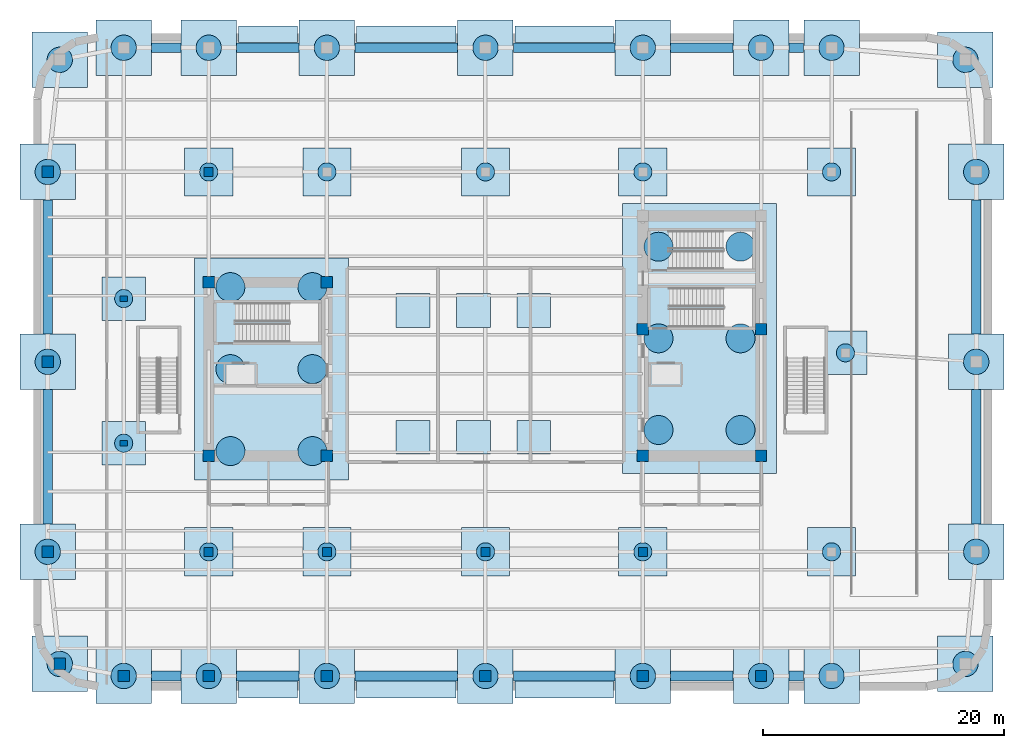
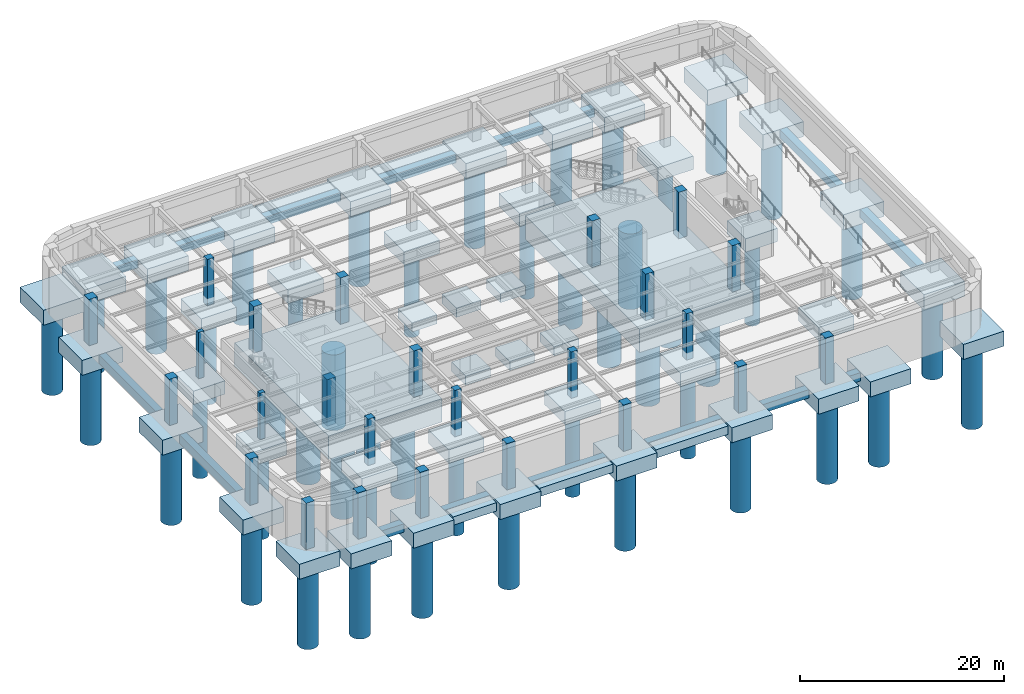
# One storey, part 1 of 14: 67 footings, 49 piles, 25 columns.
"""IFC4 building model written with IfcOpenShell, lengths in metres."""

from ifc_helpers import new_model, si_unit, direction, frame, origin, origin_2d, place, context, subcontext, project, spatial, polyline, rectangle, circle, outline, extrude, material, material_profile, profile_set, type_object, element, save


model = new_model("IFC4")

# Units and contexts
model_context = context("Model", 3, precision=1e-05, world=origin(), true_north=direction((0.0, 1.0)))
body_context = subcontext(model_context, "Body", "Model", "MODEL_VIEW")
ifc_project = project(units=[si_unit("LENGTHUNIT", "METRE"), si_unit("AREAUNIT", "SQUARE_METRE"), si_unit("VOLUMEUNIT", "CUBIC_METRE"), si_unit("PLANEANGLEUNIT", "RADIAN"), si_unit("MASSUNIT", "GRAM", prefix="KILO")], contexts=[model_context])

# Site, building, storey
site_placement = place(None, origin())
site = spatial("IfcSite", under=ifc_project, at=site_placement, CompositionType="ELEMENT")
building_placement = place(site_placement, origin())
building = spatial("IfcBuilding", under=site, at=building_placement, Name="Kolvaren Arena Tower", CompositionType="ELEMENT")
storey_placement = place(building_placement, frame((0.0, 0.0, -10.0)))
storey = spatial("IfcBuildingStorey", under=building, at=storey_placement, Name="B02", CompositionType="ELEMENT", Elevation=-10.0)

# Footings
ifc_material_1 = material(Name="Concrete 50 MPa", Category="concrete")
footing_type_1 = type_object("IfcFootingType", Name="FB-TIE2", PredefinedType="FOOTING_BEAM", material=ifc_material_1)
footing_1_placement = place(storey_placement, frame((0.0, 0.0, -1.85009765625)))
element("IfcFooting", 1, at=footing_1_placement, inside=storey, type_object=footing_type_1, Name="Foundation Tie Beam FB2-01", PredefinedType="FOOTING_BEAM", context=body_context, shape_type="SweptSolid", body=[
    extrude(outline(polyline([(9.81005859375, 0.800048828125), (12.239990234375, 0.800048828125), (12.239990234375, 1.60009765625), (9.81005859375, 1.60009765625), (9.81005859375, 0.800048828125)])), origin(), (0.0, 0.0, 1.0), 1.0),
])
footing_2_placement = place(storey_placement, frame((0.0, 0.0, -1.85009765625)))
element("IfcFooting", 2, at=footing_2_placement, inside=storey, type_object=footing_type_1, Name="Foundation Tie Beam FB2-02", PredefinedType="FOOTING_BEAM", context=body_context, shape_type="SweptSolid", body=[
    extrude(outline(polyline([(16.860107421875, 0.800048828125), (22.0400390625, 0.800048828125), (22.0400390625, 1.60009765625), (16.860107421875, 1.60009765625), (16.860107421875, 0.800048828125)])), origin(), (0.0, 0.0, 1.0), 1.0),
])
footing_3_placement = place(storey_placement, frame((0.0, 0.0, -1.85009765625)))
element("IfcFooting", 3, at=footing_3_placement, inside=storey, type_object=footing_type_1, Name="Foundation Tie Beam FB2-03", PredefinedType="FOOTING_BEAM", context=body_context, shape_type="SweptSolid", body=[
    extrude(outline(polyline([(26.659912109375, 0.800048828125), (35.18994140625, 0.800048828125), (35.18994140625, 1.60009765625), (26.659912109375, 1.60009765625), (26.659912109375, 0.800048828125)])), origin(), (0.0, 0.0, 1.0), 1.0),
])
footing_4_placement = place(storey_placement, frame((0.0, 0.0, -1.85009765625)))
element("IfcFooting", 4, at=footing_4_placement, inside=storey, type_object=footing_type_1, Name="Foundation Tie Beam FB2-04", PredefinedType="FOOTING_BEAM", context=body_context, shape_type="SweptSolid", body=[
    extrude(outline(polyline([(39.81005859375, 0.800048828125), (48.239990234375, 0.800048828125), (48.239990234375, 1.60009765625), (39.81005859375, 1.60009765625), (39.81005859375, 0.800048828125)])), origin(), (0.0, 0.0, 1.0), 1.0),
])
footing_5_placement = place(storey_placement, frame((0.0, 0.0, -1.85009765625)))
element("IfcFooting", 5, at=footing_5_placement, inside=storey, type_object=footing_type_1, Name="Foundation Tie Beam FB2-05", PredefinedType="FOOTING_BEAM", context=body_context, shape_type="SweptSolid", body=[
    extrude(outline(polyline([(52.860107421875, 0.800048828125), (58.0400390625, 0.800048828125), (58.0400390625, 1.60009765625), (52.860107421875, 1.60009765625), (52.860107421875, 0.800048828125)])), origin(), (0.0, 0.0, 1.0), 1.0),
])
footing_6_placement = place(storey_placement, frame((0.0, 0.0, -1.85009765625)))
element("IfcFooting", 6, at=footing_6_placement, inside=storey, type_object=footing_type_1, Name="Foundation Tie Beam FB2-06", PredefinedType="FOOTING_BEAM", context=body_context, shape_type="SweptSolid", body=[
    extrude(outline(polyline([(62.659912109375, 0.800048828125), (63.889892578125, 0.800048828125), (63.889892578125, 1.60009765625), (62.659912109375, 1.60009765625), (62.659912109375, 0.800048828125)])), origin(), (0.0, 0.0, 1.0), 1.0),
])
footing_7_placement = place(storey_placement, frame((0.0, 0.0, -1.85009765625)))
element("IfcFooting", 7, at=footing_7_placement, inside=storey, type_object=footing_type_1, Name="Foundation Tie Beam FB2-07", PredefinedType="FOOTING_BEAM", context=body_context, shape_type="SweptSolid", body=[
    extrude(outline(polyline([(9.81005859375, 52.89990234375), (12.239990234375, 52.89990234375), (12.239990234375, 53.699951171875), (9.81005859375, 53.699951171875), (9.81005859375, 52.89990234375)])), origin(), (0.0, 0.0, 1.0), 1.0),
])
footing_8_placement = place(storey_placement, frame((0.0, 0.0, -1.85009765625)))
element("IfcFooting", 8, at=footing_8_placement, inside=storey, type_object=footing_type_1, Name="Foundation Tie Beam FB2-08", PredefinedType="FOOTING_BEAM", context=body_context, shape_type="SweptSolid", body=[
    extrude(outline(polyline([(16.860107421875, 52.89990234375), (22.0400390625, 52.89990234375), (22.0400390625, 53.699951171875), (16.860107421875, 53.699951171875), (16.860107421875, 52.89990234375)])), origin(), (0.0, 0.0, 1.0), 1.0),
])
footing_9_placement = place(storey_placement, frame((0.0, 0.0, -1.85009765625)))
element("IfcFooting", 9, at=footing_9_placement, inside=storey, type_object=footing_type_1, Name="Foundation Tie Beam FB2-09", PredefinedType="FOOTING_BEAM", context=body_context, shape_type="SweptSolid", body=[
    extrude(outline(polyline([(26.659912109375, 52.89990234375), (35.18994140625, 52.89990234375), (35.18994140625, 53.699951171875), (26.659912109375, 53.699951171875), (26.659912109375, 52.89990234375)])), origin(), (0.0, 0.0, 1.0), 1.0),
])
footing_10_placement = place(storey_placement, frame((0.0, 0.0, -1.85009765625)))
element("IfcFooting", 10, at=footing_10_placement, inside=storey, type_object=footing_type_1, Name="Foundation Tie Beam FB2-10", PredefinedType="FOOTING_BEAM", context=body_context, shape_type="SweptSolid", body=[
    extrude(outline(polyline([(39.81005859375, 52.89990234375), (48.239990234375, 52.89990234375), (48.239990234375, 53.699951171875), (39.81005859375, 53.699951171875), (39.81005859375, 52.89990234375)])), origin(), (0.0, 0.0, 1.0), 1.0),
])
footing_11_placement = place(storey_placement, frame((0.0, 0.0, -1.85009765625)))
element("IfcFooting", 11, at=footing_11_placement, inside=storey, type_object=footing_type_1, Name="Foundation Tie Beam FB2-11", PredefinedType="FOOTING_BEAM", context=body_context, shape_type="SweptSolid", body=[
    extrude(outline(polyline([(52.860107421875, 52.89990234375), (58.0400390625, 52.89990234375), (58.0400390625, 53.699951171875), (52.860107421875, 53.699951171875), (52.860107421875, 52.89990234375)])), origin(), (0.0, 0.0, 1.0), 1.0),
])
footing_12_placement = place(storey_placement, frame((0.0, 0.0, -1.85009765625)))
element("IfcFooting", 12, at=footing_12_placement, inside=storey, type_object=footing_type_1, Name="Foundation Tie Beam FB2-12", PredefinedType="FOOTING_BEAM", context=body_context, shape_type="SweptSolid", body=[
    extrude(outline(polyline([(62.659912109375, 52.89990234375), (63.889892578125, 52.89990234375), (63.889892578125, 53.699951171875), (62.659912109375, 53.699951171875), (62.659912109375, 52.89990234375)])), origin(), (0.0, 0.0, 1.0), 1.0),
])
footing_13_placement = place(storey_placement, frame((0.0, 0.0, -1.85009765625)))
element("IfcFooting", 13, at=footing_13_placement, inside=storey, type_object=footing_type_1, Name="Foundation Tie Beam FB2-13", PredefinedType="FOOTING_BEAM", context=body_context, shape_type="SweptSolid", body=[
    extrude(outline(polyline([(0.800048828125, 13.81005859375), (1.60009765625, 13.81005859375), (1.60009765625, 24.93994140625), (0.800048828125, 24.93994140625), (0.800048828125, 13.81005859375)])), origin(), (0.0, 0.0, 1.0), 1.0),
])
footing_14_placement = place(storey_placement, frame((0.0, 0.0, -1.85009765625)))
element("IfcFooting", 14, at=footing_14_placement, inside=storey, type_object=footing_type_1, Name="Foundation Tie Beam FB2-14", PredefinedType="FOOTING_BEAM", context=body_context, shape_type="SweptSolid", body=[
    extrude(outline(polyline([(0.800048828125, 29.56005859375), (1.60009765625, 29.56005859375), (1.60009765625, 40.68994140625), (0.800048828125, 40.68994140625), (0.800048828125, 29.56005859375)])), origin(), (0.0, 0.0, 1.0), 1.0),
])
footing_15_placement = place(storey_placement, frame((0.0, 0.0, -1.85009765625)))
element("IfcFooting", 15, at=footing_15_placement, inside=storey, type_object=footing_type_1, Name="Foundation Tie Beam FB2-15", PredefinedType="FOOTING_BEAM", context=body_context, shape_type="SweptSolid", body=[
    extrude(outline(polyline([(77.800048828125, 13.81005859375), (78.60009765625, 13.81005859375), (78.60009765625, 24.93994140625), (77.800048828125, 24.93994140625), (77.800048828125, 13.81005859375)])), origin(), (0.0, 0.0, 1.0), 1.0),
])
footing_16_placement = place(storey_placement, frame((0.0, 0.0, -1.85009765625)))
element("IfcFooting", 16, at=footing_16_placement, inside=storey, type_object=footing_type_1, Name="Foundation Tie Beam FB2-16", PredefinedType="FOOTING_BEAM", context=body_context, shape_type="SweptSolid", body=[
    extrude(outline(polyline([(77.800048828125, 29.56005859375), (78.60009765625, 29.56005859375), (78.60009765625, 40.68994140625), (77.800048828125, 40.68994140625), (77.800048828125, 29.56005859375)])), origin(), (0.0, 0.0, 1.0), 1.0),
])
footing_type_2 = type_object("IfcFootingType", Name="PAD-EQ-1", PredefinedType="PAD_FOOTING", material=ifc_material_1)
for number, where, z_axis, x_axis, name in (
    (17, (31.5, 21.0, -1.949951171875), (0.0, 0.0, 1.0), (1.0, 0.0, 0.0), "Central Plant Equipment Pad PF-01"),
    (18, (36.5, 21.0, -1.949951171875), (0.0, 0.0, 1.0), (1.0, 0.0, 0.0), "Central Plant Equipment Pad PF-02"),
    (19, (41.5, 21.0, -1.949951171875), (0.0, 0.0, 1.0), (1.0, 0.0, 0.0), "Central Plant Equipment Pad PF-03"),
    (20, (31.5, 31.5, -1.949951171875), (0.0, 0.0, 1.0), (1.0, 0.0, 0.0), "Central Plant Equipment Pad PF-04"),
    (21, (36.5, 31.5, -1.949951171875), (0.0, 0.0, 1.0), (1.0, 0.0, 0.0), "Central Plant Equipment Pad PF-05"),
    (22, (41.5, 31.5, -1.949951171875), (0.0, 0.0, 1.0), (1.0, 0.0, 0.0), "Central Plant Equipment Pad PF-06"),
):
    element("IfcFooting", number, at=place(storey_placement, frame(where, z_axis=z_axis, x_axis=x_axis)), inside=storey, type_object=footing_type_2, Name=name, PredefinedType="PAD_FOOTING", context=body_context, shape_type="SweptSolid", body=[
        extrude(rectangle(XDim=2.800048828125, YDim=2.800048828125, at=origin_2d()), origin(), (0.0, 0.0, 1.0), 1.10009765625),
    ])
ifc_material_2 = material(Name="Concrete 55 MPa", Category="concrete")
footing_type_3 = type_object("IfcFootingType", Name="PCAP-IN1", PredefinedType="PILE_CAP", material=ifc_material_2)
for number, where, z_axis, x_axis, name in (
    (23, (2.199951171875, 2.199951171875, -2.64990234375), (0.0, 0.0, 1.0), (1.0, 0.0, 0.0), "Pile Cap PS-C0"),
    (24, (7.5, 1.199951171875, -2.64990234375), (0.0, 0.0, 1.0), (1.0, 0.0, 0.0), "Pile Cap PS-01"),
    (25, (14.550048828125, 1.199951171875, -2.64990234375), (0.0, 0.0, 1.0), (1.0, 0.0, 0.0), "Pile Cap PS-02"),
    (26, (24.35009765625, 1.199951171875, -2.64990234375), (0.0, 0.0, 1.0), (1.0, 0.0, 0.0), "Pile Cap PS-03"),
    (27, (37.5, 1.199951171875, -2.64990234375), (0.0, 0.0, 1.0), (1.0, 0.0, 0.0), "Pile Cap PS-04"),
    (28, (50.550048828125, 1.199951171875, -2.64990234375), (0.0, 0.0, 1.0), (1.0, 0.0, 0.0), "Pile Cap PS-05"),
    (29, (60.35009765625, 1.199951171875, -2.64990234375), (0.0, 0.0, 1.0), (1.0, 0.0, 0.0), "Pile Cap PS-06"),
    (30, (66.199951171875, 1.199951171875, -2.64990234375), (0.0, 0.0, 1.0), (1.0, 0.0, 0.0), "Pile Cap PS-07"),
    (31, (77.300048828125, 2.199951171875, -2.64990234375), (0.0, 0.0, 1.0), (1.0, 0.0, 0.0), "Pile Cap PE-C0"),
    (32, (78.199951171875, 11.5, -2.64990234375), (0.0, 0.0, 1.0), (1.0, 0.0, 0.0), "Pile Cap PE-01"),
    (33, (78.199951171875, 27.25, -2.64990234375), (0.0, 0.0, 1.0), (1.0, 0.0, 0.0), "Pile Cap PE-02"),
    (34, (78.199951171875, 43.0, -2.64990234375), (0.0, 0.0, 1.0), (1.0, 0.0, 0.0), "Pile Cap PE-03"),
    (35, (77.300048828125, 52.300048828125, -2.64990234375), (0.0, 0.0, 1.0), (1.0, 0.0, 0.0), "Pile Cap PN-C1"),
    (36, (66.199951171875, 53.300048828125, -2.64990234375), (0.0, 0.0, 1.0), (1.0, 0.0, 0.0), "Pile Cap PN-07"),
    (37, (60.35009765625, 53.300048828125, -2.64990234375), (0.0, 0.0, 1.0), (1.0, 0.0, 0.0), "Pile Cap PN-06"),
    (38, (50.550048828125, 53.300048828125, -2.64990234375), (0.0, 0.0, 1.0), (1.0, 0.0, 0.0), "Pile Cap PN-05"),
    (39, (37.5, 53.300048828125, -2.64990234375), (0.0, 0.0, 1.0), (1.0, 0.0, 0.0), "Pile Cap PN-04"),
    (40, (24.35009765625, 53.300048828125, -2.64990234375), (0.0, 0.0, 1.0), (1.0, 0.0, 0.0), "Pile Cap PN-03"),
    (41, (14.550048828125, 53.300048828125, -2.64990234375), (0.0, 0.0, 1.0), (1.0, 0.0, 0.0), "Pile Cap PN-02"),
    (42, (7.5, 53.300048828125, -2.64990234375), (0.0, 0.0, 1.0), (1.0, 0.0, 0.0), "Pile Cap PN-01"),
    (43, (2.199951171875, 52.300048828125, -2.64990234375), (0.0, 0.0, 1.0), (1.0, 0.0, 0.0), "Pile Cap PN-C0"),
    (44, (1.199951171875, 43.0, -2.64990234375), (0.0, 0.0, 1.0), (1.0, 0.0, 0.0), "Pile Cap PW-03"),
    (45, (1.199951171875, 27.25, -2.64990234375), (0.0, 0.0, 1.0), (1.0, 0.0, 0.0), "Pile Cap PW-02"),
    (46, (1.199951171875, 11.5, -2.64990234375), (0.0, 0.0, 1.0), (1.0, 0.0, 0.0), "Pile Cap PW-01"),
):
    element("IfcFooting", number, at=place(storey_placement, frame(where, z_axis=z_axis, x_axis=x_axis)), inside=storey, type_object=footing_type_3, Name=name, PredefinedType="PILE_CAP", context=body_context, shape_type="SweptSolid", body=[
        extrude(rectangle(XDim=4.60009765625, YDim=4.60009765625, at=origin_2d()), origin(), (0.0, 0.0, 1.0), 1.800048828125),
    ])
footing_type_4 = type_object("IfcFootingType", Name="PCAP-IN2", PredefinedType="PILE_CAP", material=ifc_material_2)
for number, where, z_axis, x_axis, name in (
    (47, (14.550048828125, 11.5, -2.449951171875), (0.0, 0.0, 1.0), (1.0, 0.0, 0.0), "Pile Cap PB-S1"),
    (48, (24.35009765625, 11.5, -2.449951171875), (0.0, 0.0, 1.0), (1.0, 0.0, 0.0), "Pile Cap PB-S2"),
    (49, (37.5, 11.5, -2.449951171875), (0.0, 0.0, 1.0), (1.0, 0.0, 0.0), "Pile Cap PB-S3"),
    (50, (50.550048828125, 11.5, -2.449951171875), (0.0, 0.0, 1.0), (1.0, 0.0, 0.0), "Pile Cap PB-S4"),
    (51, (66.199951171875, 11.5, -2.449951171875), (0.0, 0.0, 1.0), (1.0, 0.0, 0.0), "Pile Cap PB-S5"),
    (52, (14.550048828125, 43.0, -2.449951171875), (0.0, 0.0, 1.0), (1.0, 0.0, 0.0), "Pile Cap PB-N1"),
    (53, (24.35009765625, 43.0, -2.449951171875), (0.0, 0.0, 1.0), (1.0, 0.0, 0.0), "Pile Cap PB-N2"),
    (54, (37.5, 43.0, -2.449951171875), (0.0, 0.0, 1.0), (1.0, 0.0, 0.0), "Pile Cap PB-N3"),
    (55, (50.550048828125, 43.0, -2.449951171875), (0.0, 0.0, 1.0), (1.0, 0.0, 0.0), "Pile Cap PB-N4"),
    (56, (66.199951171875, 43.0, -2.449951171875), (0.0, 0.0, 1.0), (1.0, 0.0, 0.0), "Pile Cap PB-N5"),
):
    element("IfcFooting", number, at=place(storey_placement, frame(where, z_axis=z_axis, x_axis=x_axis)), inside=storey, type_object=footing_type_4, Name=name, PredefinedType="PILE_CAP", context=body_context, shape_type="SweptSolid", body=[
        extrude(rectangle(XDim=4.0, YDim=4.0, at=origin_2d()), origin(), (0.0, 0.0, 1.0), 1.60009765625),
    ])
footing_type_5 = type_object("IfcFootingType", Name="PCAP-PIL", PredefinedType="PILE_CAP", material=ifc_material_2)
for number, where, z_axis, x_axis, name in (
    (57, (7.5, 20.5, -2.449951171875), (0.0, 0.0, 1.0), (1.0, 0.0, 0.0), "Concourse Pilaster Pile Cap 1"),
    (58, (7.5, 32.5, -2.449951171875), (0.0, 0.0, 1.0), (1.0, 0.0, 0.0), "Concourse Pilaster Pile Cap 2"),
    (59, (67.35009765625, 28.0, -2.449951171875), (0.0, 0.0, 1.0), (1.0, 0.0, 0.0), "Vehicle Ramp Support Pile Cap"),
):
    element("IfcFooting", number, at=place(storey_placement, frame(where, z_axis=z_axis, x_axis=x_axis)), inside=storey, type_object=footing_type_5, Name=name, PredefinedType="PILE_CAP", context=body_context, shape_type="SweptSolid", body=[
        extrude(rectangle(XDim=3.60009765625, YDim=3.60009765625, at=origin_2d()), origin(), (0.0, 0.0, 1.0), 1.60009765625),
    ])

# Piles
ifc_material_3 = material(Name="Concrete 60 MPa", Category="concrete")
ifc_material_profile_1 = material_profile(ifc_material_3, circle(Radius=0.75, at=origin_2d()), Name="CAISSON-D1500")
ifc_profile_set_1 = profile_set([ifc_material_profile_1], Name="Concrete 60 MPa")
pile_type_1 = type_object("IfcPileType", Name="PILE-C15", PredefinedType="BORED", material=ifc_profile_set_1)
for number, where, z_axis, x_axis, name in (
    (60, (14.550048828125, 11.5, -2.25), (0.0, 0.0, -1.0), (1.0, 0.0, 0.0), "Rock-Socketed Caisson PB-S1"),
    (61, (24.35009765625, 11.5, -2.25), (0.0, 0.0, -1.0), (1.0, 0.0, 0.0), "Rock-Socketed Caisson PB-S2"),
    (62, (37.5, 11.5, -2.25), (0.0, 0.0, -1.0), (1.0, 0.0, 0.0), "Rock-Socketed Caisson PB-S3"),
    (63, (50.550048828125, 11.5, -2.25), (0.0, 0.0, -1.0), (1.0, 0.0, 0.0), "Rock-Socketed Caisson PB-S4"),
    (64, (66.199951171875, 11.5, -2.25), (0.0, 0.0, -1.0), (1.0, 0.0, 0.0), "Rock-Socketed Caisson PB-S5"),
    (65, (14.550048828125, 43.0, -2.25), (0.0, 0.0, -1.0), (1.0, 0.0, 0.0), "Rock-Socketed Caisson PB-N1"),
    (66, (24.35009765625, 43.0, -2.25), (0.0, 0.0, -1.0), (1.0, 0.0, 0.0), "Rock-Socketed Caisson PB-N2"),
    (67, (37.5, 43.0, -2.25), (0.0, 0.0, -1.0), (1.0, 0.0, 0.0), "Rock-Socketed Caisson PB-N3"),
    (68, (50.550048828125, 43.0, -2.25), (0.0, 0.0, -1.0), (1.0, 0.0, 0.0), "Rock-Socketed Caisson PB-N4"),
    (69, (66.199951171875, 43.0, -2.25), (0.0, 0.0, -1.0), (1.0, 0.0, 0.0), "Rock-Socketed Caisson PB-N5"),
    (70, (7.5, 20.5, -2.25), (0.0, 0.0, -1.0), (1.0, 0.0, 0.0), "Concourse Pilaster Caisson 1"),
    (71, (7.5, 32.5, -2.25), (0.0, 0.0, -1.0), (1.0, 0.0, 0.0), "Concourse Pilaster Caisson 2"),
    (72, (67.35009765625, 28.0, -2.25), (0.0, 0.0, -1.0), (1.0, 0.0, 0.0), "Vehicle Ramp Support Caisson"),
):
    element("IfcPile", number, at=place(storey_placement, frame(where, z_axis=z_axis, x_axis=x_axis)), inside=storey, type_object=pile_type_1, Name=name, PredefinedType="BORED", context=body_context, shape_type="SweptSolid", body=[
        extrude(circle(Radius=0.75, at=origin_2d()), origin(), (0.0, 0.0, 1.0), 10.25),
    ])
ifc_material_profile_2 = material_profile(ifc_material_3, circle(Radius=1.050048828125, at=origin_2d()), Name="CAISSON-D2100")
ifc_profile_set_2 = profile_set([ifc_material_profile_2], Name="Concrete 60 MPa")
pile_type_2 = type_object("IfcPileType", Name="PILE-C21", PredefinedType="BORED", material=ifc_profile_set_2)
for number, where, z_axis, x_axis, name in (
    (73, (2.199951171875, 2.199951171875, -2.449951171875), (0.0, 0.0, -1.0), (1.0, 0.0, 0.0), "Rock-Socketed Caisson PS-C0"),
    (74, (7.5, 1.199951171875, -2.449951171875), (0.0, 0.0, -1.0), (1.0, 0.0, 0.0), "Rock-Socketed Caisson PS-01"),
    (75, (14.550048828125, 1.199951171875, -2.449951171875), (0.0, 0.0, -1.0), (1.0, 0.0, 0.0), "Rock-Socketed Caisson PS-02"),
    (76, (24.35009765625, 1.199951171875, -2.449951171875), (0.0, 0.0, -1.0), (1.0, 0.0, 0.0), "Rock-Socketed Caisson PS-03"),
    (77, (37.5, 1.199951171875, -2.449951171875), (0.0, 0.0, -1.0), (1.0, 0.0, 0.0), "Rock-Socketed Caisson PS-04"),
    (78, (50.550048828125, 1.199951171875, -2.449951171875), (0.0, 0.0, -1.0), (1.0, 0.0, 0.0), "Rock-Socketed Caisson PS-05"),
    (79, (60.35009765625, 1.199951171875, -2.449951171875), (0.0, 0.0, -1.0), (1.0, 0.0, 0.0), "Rock-Socketed Caisson PS-06"),
    (80, (66.199951171875, 1.199951171875, -2.449951171875), (0.0, 0.0, -1.0), (1.0, 0.0, 0.0), "Rock-Socketed Caisson PS-07"),
    (81, (77.300048828125, 2.199951171875, -2.449951171875), (0.0, 0.0, -1.0), (1.0, 0.0, 0.0), "Rock-Socketed Caisson PE-C0"),
    (82, (78.199951171875, 11.5, -2.449951171875), (0.0, 0.0, -1.0), (1.0, 0.0, 0.0), "Rock-Socketed Caisson PE-01"),
    (83, (78.199951171875, 27.25, -2.449951171875), (0.0, 0.0, -1.0), (1.0, 0.0, 0.0), "Rock-Socketed Caisson PE-02"),
    (84, (78.199951171875, 43.0, -2.449951171875), (0.0, 0.0, -1.0), (1.0, 0.0, 0.0), "Rock-Socketed Caisson PE-03"),
    (85, (77.300048828125, 52.300048828125, -2.449951171875), (0.0, 0.0, -1.0), (1.0, 0.0, 0.0), "Rock-Socketed Caisson PN-C1"),
    (86, (66.199951171875, 53.300048828125, -2.449951171875), (0.0, 0.0, -1.0), (1.0, 0.0, 0.0), "Rock-Socketed Caisson PN-07"),
    (87, (60.35009765625, 53.300048828125, -2.449951171875), (0.0, 0.0, -1.0), (1.0, 0.0, 0.0), "Rock-Socketed Caisson PN-06"),
    (88, (50.550048828125, 53.300048828125, -2.449951171875), (0.0, 0.0, -1.0), (1.0, 0.0, 0.0), "Rock-Socketed Caisson PN-05"),
    (89, (37.5, 53.300048828125, -2.449951171875), (0.0, 0.0, -1.0), (1.0, 0.0, 0.0), "Rock-Socketed Caisson PN-04"),
    (90, (24.35009765625, 53.300048828125, -2.449951171875), (0.0, 0.0, -1.0), (1.0, 0.0, 0.0), "Rock-Socketed Caisson PN-03"),
    (91, (14.550048828125, 53.300048828125, -2.449951171875), (0.0, 0.0, -1.0), (1.0, 0.0, 0.0), "Rock-Socketed Caisson PN-02"),
    (92, (7.5, 53.300048828125, -2.449951171875), (0.0, 0.0, -1.0), (1.0, 0.0, 0.0), "Rock-Socketed Caisson PN-01"),
    (93, (2.199951171875, 52.300048828125, -2.449951171875), (0.0, 0.0, -1.0), (1.0, 0.0, 0.0), "Rock-Socketed Caisson PN-C0"),
    (94, (1.199951171875, 43.0, -2.449951171875), (0.0, 0.0, -1.0), (1.0, 0.0, 0.0), "Rock-Socketed Caisson PW-03"),
    (95, (1.199951171875, 27.25, -2.449951171875), (0.0, 0.0, -1.0), (1.0, 0.0, 0.0), "Rock-Socketed Caisson PW-02"),
    (96, (1.199951171875, 11.5, -2.449951171875), (0.0, 0.0, -1.0), (1.0, 0.0, 0.0), "Rock-Socketed Caisson PW-01"),
):
    element("IfcPile", number, at=place(storey_placement, frame(where, z_axis=z_axis, x_axis=x_axis)), inside=storey, type_object=pile_type_2, Name=name, PredefinedType="BORED", context=body_context, shape_type="SweptSolid", body=[
        extrude(circle(Radius=1.050048828125, at=origin_2d()), origin(), (0.0, 0.0, 1.0), 10.050048828125),
    ])
ifc_material_profile_3 = material_profile(ifc_material_3, circle(Radius=1.199951171875, at=origin_2d()), Name="CAISSON-D2400")
ifc_profile_set_3 = profile_set([ifc_material_profile_3], Name="Concrete 60 MPa")
pile_type_3 = type_object("IfcPileType", Name="PILE-C24", PredefinedType="BORED", material=ifc_profile_set_3)
for number, where, z_axis, x_axis, name in (
    (97, (16.35009765625, 19.85009765625, -3.449951171875), (0.0, 0.0, -1.0), (1.0, 0.0, 0.0), "West Core Rock Caisson P1-W1"),
    (98, (16.35009765625, 26.64990234375, -3.449951171875), (0.0, 0.0, -1.0), (1.0, 0.0, 0.0), "West Core Rock Caisson P1-W2"),
    (99, (16.35009765625, 33.449951171875, -3.449951171875), (0.0, 0.0, -1.0), (1.0, 0.0, 0.0), "West Core Rock Caisson P1-W3"),
    (100, (23.14990234375, 19.85009765625, -3.449951171875), (0.0, 0.0, -1.0), (1.0, 0.0, 0.0), "West Core Rock Caisson P1-W4"),
    (101, (23.14990234375, 26.64990234375, -3.449951171875), (0.0, 0.0, -1.0), (1.0, 0.0, 0.0), "West Core Rock Caisson P1-W5"),
    (102, (23.14990234375, 33.449951171875, -3.449951171875), (0.0, 0.0, -1.0), (1.0, 0.0, 0.0), "West Core Rock Caisson P1-W6"),
    (103, (51.85009765625, 21.60009765625, -3.449951171875), (0.0, 0.0, -1.0), (1.0, 0.0, 0.0), "East Core Rock Caisson P1-E1"),
    (104, (51.85009765625, 29.199951171875, -3.449951171875), (0.0, 0.0, -1.0), (1.0, 0.0, 0.0), "East Core Rock Caisson P1-E2"),
    (105, (51.85009765625, 36.800048828125, -3.449951171875), (0.0, 0.0, -1.0), (1.0, 0.0, 0.0), "East Core Rock Caisson P1-E3"),
    (106, (58.64990234375, 21.60009765625, -3.449951171875), (0.0, 0.0, -1.0), (1.0, 0.0, 0.0), "East Core Rock Caisson P1-E4"),
    (107, (58.64990234375, 29.199951171875, -3.449951171875), (0.0, 0.0, -1.0), (1.0, 0.0, 0.0), "East Core Rock Caisson P1-E5"),
    (108, (58.64990234375, 36.800048828125, -3.449951171875), (0.0, 0.0, -1.0), (1.0, 0.0, 0.0), "East Core Rock Caisson P1-E6"),
):
    element("IfcPile", number, at=place(storey_placement, frame(where, z_axis=z_axis, x_axis=x_axis)), inside=storey, type_object=pile_type_3, Name=name, PredefinedType="BORED", context=body_context, shape_type="SweptSolid", body=[
        extrude(circle(Radius=1.199951171875, at=origin_2d()), origin(), (0.0, 0.0, 1.0), 9.050048828125),
    ])

# Footings
footing_type_6 = type_object("IfcFootingType", Name="RAFT-CORE", PredefinedType="PILE_CAP", material=ifc_material_3)
footing_17_placement = place(storey_placement, frame((19.75, 26.64990234375, -3.64990234375), z_axis=(0.0, 0.0, 1.0), x_axis=(1.0, 0.0, 0.0)))
element("IfcFooting", 109, at=footing_17_placement, inside=storey, type_object=footing_type_6, Name="West Core Foundation Raft FC-R1", PredefinedType="PILE_CAP", context=body_context, shape_type="SweptSolid", body=[
    extrude(rectangle(XDim=12.800048828125, YDim=18.39990234375, at=origin_2d()), origin(), (0.0, 0.0, 1.0), 2.800048828125),
])
footing_type_7 = type_object("IfcFootingType", Name="RAFT-COREE", PredefinedType="PILE_CAP", material=ifc_material_3)
footing_18_placement = place(storey_placement, frame((55.25, 29.199951171875, -3.64990234375), z_axis=(0.0, 0.0, 1.0), x_axis=(1.0, 0.0, 0.0)))
element("IfcFooting", 110, at=footing_18_placement, inside=storey, type_object=footing_type_7, Name="East Core Foundation Raft FC-R2", PredefinedType="PILE_CAP", context=body_context, shape_type="SweptSolid", body=[
    extrude(rectangle(XDim=12.800048828125, YDim=22.39990234375, at=origin_2d()), origin(), (0.0, 0.0, 1.0), 2.800048828125),
])
footing_type_8 = type_object("IfcFootingType", Name="STRIP-RW-1", PredefinedType="STRIP_FOOTING", material=ifc_material_1)
footing_19_placement = place(storey_placement, frame((0.0, 0.0, -1.85009765625)))
element("IfcFooting", 111, at=footing_19_placement, inside=storey, type_object=footing_type_8, Name="Retaining Wall Strip Footing SF-01", PredefinedType="STRIP_FOOTING", context=body_context, shape_type="SweptSolid", body=[
    extrude(outline(polyline([(17.0, -0.6201171875), (21.89990234375, -0.6201171875), (21.89990234375, 0.780029296875), (17.0, 0.780029296875), (17.0, -0.6201171875)])), origin(), (0.0, 0.0, 1.0), 1.0),
])
footing_20_placement = place(storey_placement, frame((0.0, 0.0, -1.85009765625)))
element("IfcFooting", 112, at=footing_20_placement, inside=storey, type_object=footing_type_8, Name="Retaining Wall Strip Footing SF-02", PredefinedType="STRIP_FOOTING", context=body_context, shape_type="SweptSolid", body=[
    extrude(outline(polyline([(26.800048828125, -0.6201171875), (35.06005859375, -0.6201171875), (35.06005859375, 0.780029296875), (26.800048828125, 0.780029296875), (26.800048828125, -0.6201171875)])), origin(), (0.0, 0.0, 1.0), 1.0),
])
footing_21_placement = place(storey_placement, frame((0.0, 0.0, -1.85009765625)))
element("IfcFooting", 113, at=footing_21_placement, inside=storey, type_object=footing_type_8, Name="Retaining Wall Strip Footing SF-03", PredefinedType="STRIP_FOOTING", context=body_context, shape_type="SweptSolid", body=[
    extrude(outline(polyline([(39.93994140625, -0.6201171875), (48.10009765625, -0.6201171875), (48.10009765625, 0.780029296875), (39.93994140625, 0.780029296875), (39.93994140625, -0.6201171875)])), origin(), (0.0, 0.0, 1.0), 1.0),
])
footing_22_placement = place(storey_placement, frame((0.0, 0.0, -1.85009765625)))
element("IfcFooting", 114, at=footing_22_placement, inside=storey, type_object=footing_type_8, Name="Retaining Wall Strip Footing SF-04", PredefinedType="STRIP_FOOTING", context=body_context, shape_type="SweptSolid", body=[
    extrude(outline(polyline([(17.0, 53.719970703125), (21.89990234375, 53.719970703125), (21.89990234375, 55.1201171875), (17.0, 55.1201171875), (17.0, 53.719970703125)])), origin(), (0.0, 0.0, 1.0), 1.0),
])
footing_23_placement = place(storey_placement, frame((0.0, 0.0, -1.85009765625)))
element("IfcFooting", 115, at=footing_23_placement, inside=storey, type_object=footing_type_8, Name="Retaining Wall Strip Footing SF-05", PredefinedType="STRIP_FOOTING", context=body_context, shape_type="SweptSolid", body=[
    extrude(outline(polyline([(26.800048828125, 53.719970703125), (35.06005859375, 53.719970703125), (35.06005859375, 55.1201171875), (26.800048828125, 55.1201171875), (26.800048828125, 53.719970703125)])), origin(), (0.0, 0.0, 1.0), 1.0),
])
footing_24_placement = place(storey_placement, frame((0.0, 0.0, -1.85009765625)))
element("IfcFooting", 116, at=footing_24_placement, inside=storey, type_object=footing_type_8, Name="Retaining Wall Strip Footing SF-06", PredefinedType="STRIP_FOOTING", context=body_context, shape_type="SweptSolid", body=[
    extrude(outline(polyline([(39.93994140625, 53.719970703125), (48.10009765625, 53.719970703125), (48.10009765625, 55.1201171875), (39.93994140625, 55.1201171875), (39.93994140625, 53.719970703125)])), origin(), (0.0, 0.0, 1.0), 1.0),
])

# Columns
ifc_material_profile_4 = material_profile(ifc_material_3, rectangle(XDim=0.949951171875, YDim=0.949951171875, at=origin_2d()), Name="RC-950x950")
ifc_profile_set_4 = profile_set([ifc_material_profile_4], Name="Concrete 60 MPa")
column_type_1 = type_object("IfcColumnType", Name="PCOL-B1", PredefinedType="COLUMN", material=ifc_profile_set_4)
for number, where, z_axis, x_axis, name in (
    (117, (14.550048828125, 19.449951171875, -0.85009765625), (0.0, 0.0, 1.0), (1.0, 0.0, 0.0), "Core Boundary Column WC-SW (B02)"),
    (118, (24.35009765625, 19.449951171875, -0.85009765625), (0.0, 0.0, 1.0), (1.0, 0.0, 0.0), "Core Boundary Column WC-SE (B02)"),
    (119, (14.550048828125, 33.85009765625, -0.85009765625), (0.0, 0.0, 1.0), (1.0, 0.0, 0.0), "Core Boundary Column WC-NW (B02)"),
    (120, (24.35009765625, 33.85009765625, -0.85009765625), (0.0, 0.0, 1.0), (1.0, 0.0, 0.0), "Core Boundary Column WC-NE (B02)"),
    (121, (50.550048828125, 19.449951171875, -0.85009765625), (0.0, 0.0, 1.0), (1.0, 0.0, 0.0), "Core Boundary Column EC-SW (B02)"),
    (122, (60.35009765625, 19.449951171875, -0.85009765625), (0.0, 0.0, 1.0), (1.0, 0.0, 0.0), "Core Boundary Column EC-SE (B02)"),
    (123, (50.550048828125, 29.949951171875, -0.85009765625), (0.0, 0.0, 1.0), (1.0, 0.0, 0.0), "Core Boundary Column EC-MW (B02)"),
    (124, (60.35009765625, 29.949951171875, -0.85009765625), (0.0, 0.0, 1.0), (1.0, 0.0, 0.0), "Core Boundary Column EC-ME (B02)"),
    (125, (2.199951171875, 2.199951171875, -0.85009765625), (0.0, 0.0, 1.0), (1.0, 0.0, 0.0), "Podium Perimeter Column PS-C0 (B02)"),
    (126, (7.5, 1.199951171875, -0.85009765625), (0.0, 0.0, 1.0), (1.0, 0.0, 0.0), "Podium Perimeter Column PS-01 (B02)"),
    (127, (14.550048828125, 1.199951171875, -0.85009765625), (0.0, 0.0, 1.0), (1.0, 0.0, 0.0), "Podium Perimeter Column PS-02 (B02)"),
    (128, (24.35009765625, 1.199951171875, -0.85009765625), (0.0, 0.0, 1.0), (1.0, 0.0, 0.0), "Podium Perimeter Column PS-03 (B02)"),
    (129, (37.5, 1.199951171875, -0.85009765625), (0.0, 0.0, 1.0), (1.0, 0.0, 0.0), "Podium Perimeter Column PS-04 (B02)"),
    (130, (50.550048828125, 1.199951171875, -0.85009765625), (0.0, 0.0, 1.0), (1.0, 0.0, 0.0), "Podium Perimeter Column PS-05 (B02)"),
    (131, (60.35009765625, 1.199951171875, -0.85009765625), (0.0, 0.0, 1.0), (1.0, 0.0, 0.0), "Podium Perimeter Column PS-06 (B02)"),
    (132, (1.199951171875, 43.0, -0.85009765625), (0.0, 0.0, 1.0), (1.0, 0.0, 0.0), "Podium Perimeter Column PW-03 (B02)"),
    (133, (1.199951171875, 27.25, -0.85009765625), (0.0, 0.0, 1.0), (1.0, 0.0, 0.0), "Podium Perimeter Column PW-02 (B02)"),
    (134, (1.199951171875, 11.5, -0.85009765625), (0.0, 0.0, 1.0), (1.0, 0.0, 0.0), "Podium Perimeter Column PW-01 (B02)"),
):
    element("IfcColumn", number, at=place(storey_placement, frame(where, z_axis=z_axis, x_axis=x_axis)), inside=storey, type_object=column_type_1, Name=name, PredefinedType="COLUMN", context=body_context, shape_type="SweptSolid", body=[
        extrude(rectangle(XDim=0.949951171875, YDim=0.949951171875, at=origin_2d()), origin(), (0.0, 0.0, 1.0), 5.5400390625),
    ])
ifc_material_profile_5 = material_profile(ifc_material_3, rectangle(XDim=0.75, YDim=0.75, at=origin_2d()), Name="RC-750x750")
ifc_profile_set_5 = profile_set([ifc_material_profile_5], Name="Concrete 60 MPa")
column_type_2 = type_object("IfcColumnType", Name="PCOL-B2", PredefinedType="COLUMN", material=ifc_profile_set_5)
for number, where, z_axis, x_axis, name in (
    (135, (14.550048828125, 11.5, -0.85009765625), (0.0, 0.0, 1.0), (1.0, 0.0, 0.0), "Concourse Structural Column PB-S1 (B02)"),
    (136, (24.35009765625, 11.5, -0.85009765625), (0.0, 0.0, 1.0), (1.0, 0.0, 0.0), "Concourse Structural Column PB-S2 (B02)"),
    (137, (37.5, 11.5, -0.85009765625), (0.0, 0.0, 1.0), (1.0, 0.0, 0.0), "Concourse Structural Column PB-S3 (B02)"),
    (138, (50.550048828125, 11.5, -0.85009765625), (0.0, 0.0, 1.0), (1.0, 0.0, 0.0), "Concourse Structural Column PB-S4 (B02)"),
    (139, (14.550048828125, 43.0, -0.85009765625), (0.0, 0.0, 1.0), (1.0, 0.0, 0.0), "Concourse Structural Column PB-N1 (B02)"),
):
    element("IfcColumn", number, at=place(storey_placement, frame(where, z_axis=z_axis, x_axis=x_axis)), inside=storey, type_object=column_type_2, Name=name, PredefinedType="COLUMN", context=body_context, shape_type="SweptSolid", body=[
        extrude(rectangle(XDim=0.75, YDim=0.75, at=origin_2d()), origin(), (0.0, 0.0, 1.0), 5.5400390625),
    ])
ifc_material_4 = material(Name="Precast concrete C50/60", Category="concrete")
ifc_material_profile_6 = material_profile(ifc_material_4, rectangle(XDim=0.60009765625, YDim=0.449951171875, at=origin_2d()), Name="RC-600x450")
ifc_profile_set_6 = profile_set([ifc_material_profile_6], Name="Precast concrete C50/60")
column_type_3 = type_object("IfcColumnType", Name="PIL-01", PredefinedType="PILASTER", material=ifc_profile_set_6)
for number, where, z_axis, x_axis, name in (
    (140, (7.5, 20.5, -0.85009765625), (0.0, 0.0, 1.0), (1.0, 0.0, 0.0), "Concourse Structural Pilaster 1 (B02)"),
    (141, (7.5, 32.5, -0.85009765625), (0.0, 0.0, 1.0), (1.0, 0.0, 0.0), "Concourse Structural Pilaster 2 (B02)"),
):
    element("IfcColumn", number, at=place(storey_placement, frame(where, z_axis=z_axis, x_axis=x_axis)), inside=storey, type_object=column_type_3, Name=name, PredefinedType="PILASTER", context=body_context, shape_type="SweptSolid", body=[
        extrude(rectangle(XDim=0.60009765625, YDim=0.449951171875, at=origin_2d()), origin(), (0.0, 0.0, 1.0), 5.5400390625),
    ])

save(model, "model.ifc")
